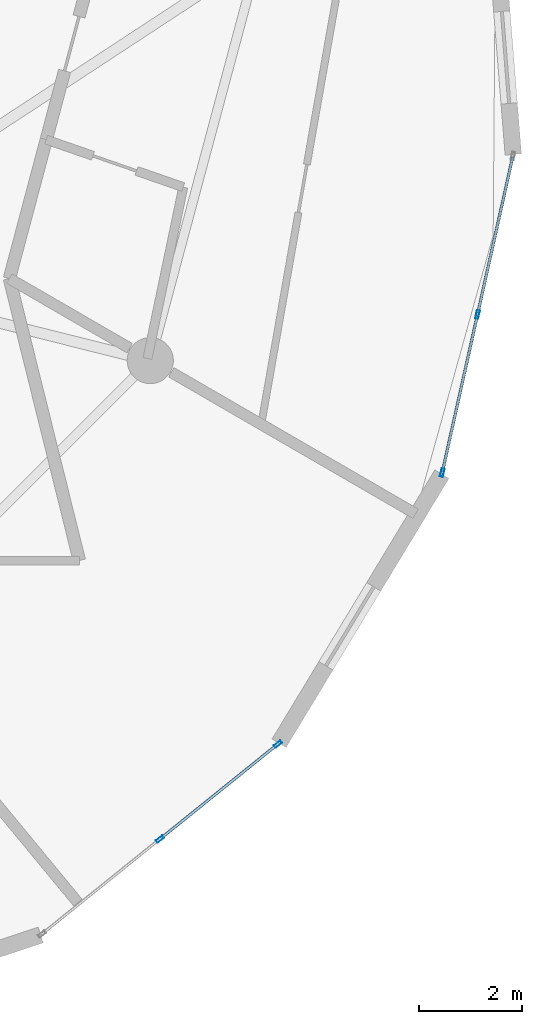
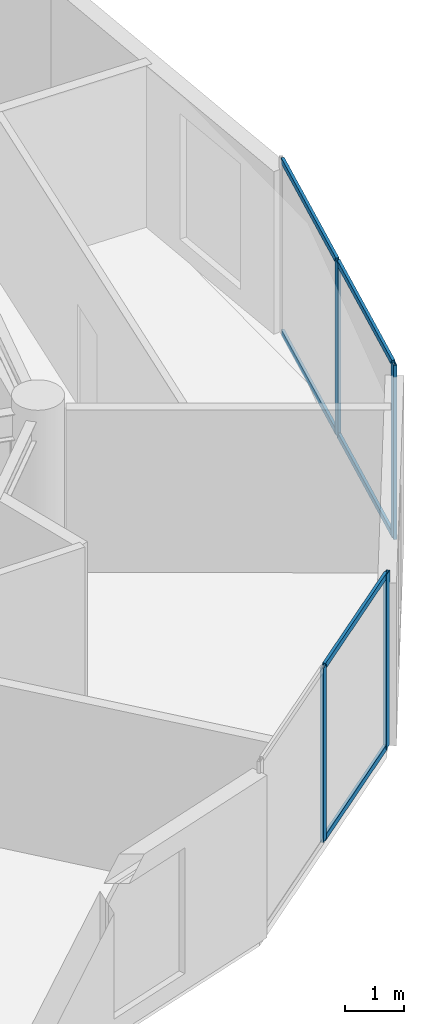
# One storey, part 10 of 20: 10 members, 2 elements without a shape of their own.
"""IFC4 building model written with IfcOpenShell, lengths in metres."""

from ifc_helpers import new_model, si_unit, direction, frame, origin, origin_2d, place, context, subcontext, project, spatial, hollow_rectangle, extrude, source, transform, mapped, material, layer, layer_set, material_profile, profile_set, type_object, element, aggregate, save


model = new_model("IFC4")

# Units and contexts
model_context = context("Model", 3, precision=1e-05, world=origin(), true_north=direction((0.0, 1.0)))
body_context = subcontext(model_context, "Body", "Model", "MODEL_VIEW")
ifc_project = project(units=[si_unit("LENGTHUNIT", "METRE"), si_unit("AREAUNIT", "SQUARE_METRE"), si_unit("VOLUMEUNIT", "CUBIC_METRE"), si_unit("PLANEANGLEUNIT", "RADIAN"), si_unit("MASSUNIT", "GRAM", prefix="KILO")], contexts=[model_context])

# Site, building, storey
site_placement = place(None, origin())
site = spatial("IfcSite", under=ifc_project, at=site_placement, CompositionType="ELEMENT")
building_placement = place(site_placement, origin())
building = spatial("IfcBuilding", under=site, at=building_placement, Name="Solvirekh Grand Hotel", CompositionType="ELEMENT")
storey_placement = place(building_placement, frame((0.0, 0.0, 194.800048828125)))
storey = spatial("IfcBuildingStorey", under=building, at=storey_placement, Name="L50", CompositionType="ELEMENT", Elevation=194.800048828125)

# Curtain wall, members
ifc_material = material(Name="Anodized Bronze Aluminium 6063-T6", Category="aluminium")
ifc_layer = layer(ifc_material, 0.159912109375)
ifc_layer_set = layer_set([ifc_layer], Name="Anodized Bronze Aluminium 6063-T6")
curtain_wall_type = type_object("IfcCurtainWallType", Name="CW_Sys4_HighZoneFlushBronzeCW", PredefinedType="NOTDEFINED", material=ifc_layer_set)
curtain_wall_1_placement = place(storey_placement, origin())
curtain_wall_1 = element("IfcCurtainWall", 1, at=curtain_wall_1_placement, inside=storey, type_object=curtain_wall_type, Name="L50 unitised bronze-glass curtain wall CW-L50-C03", PredefinedType="NOTDEFINED")
ifc_material_profile_1 = material_profile(ifc_material, hollow_rectangle(XDim=0.054931640625, YDim=0.1201171875, WallThickness=0.00390625, at=origin_2d()), Name="ALU RHS 120X55X4")
ifc_profile_set_1 = profile_set([ifc_material_profile_1], Name="Anodized Bronze Aluminium 6063-T6")
member_type_1 = type_object("IfcMemberType", Name="CWTransom_Sys4", PredefinedType="USERDEFINED", material=ifc_profile_set_1)
shared_shape_1 = source(origin(), body_context, "Body", "SweptSolid", [
    extrude(hollow_rectangle(XDim=0.054931640625, YDim=0.1201171875, WallThickness=0.00390625, at=origin_2d()), origin(), (0.0, 0.0, 1.0), 3.104736328125),
])
member_1_placement = place(storey_placement, frame((19.384033203125, -10.057373046875, 0.02734375), z_axis=(0.217904529729, 0.975970089666, 0.0), x_axis=(-0.975970089666, 0.217904529729, 0.0)))
member_1 = element("IfcMember", 2, at=member_1_placement, type_object=member_type_1, Name="U04 transom 1.1", ObjectType="TRANSOM", PredefinedType="USERDEFINED", context=body_context, shape_type="MappedRepresentation", body=[
    mapped(shared_shape_1, transform((0.0, 0.0, 0.0), x_axis=(1.0, 0.0, 0.0), y_axis=(0.0, 1.0, 0.0), z_axis=(0.0, 0.0, 1.0), scale=1.0)),
])
member_2_placement = place(storey_placement, frame((19.384033203125, -10.057373046875, 3.572509765625), z_axis=(0.217904529729, 0.975970089666, 0.0), x_axis=(-0.975970089666, 0.217904529729, 0.0)))
member_2 = element("IfcMember", 3, at=member_2_placement, type_object=member_type_1, Name="U04 transom 1.2", ObjectType="TRANSOM", PredefinedType="USERDEFINED", context=body_context, shape_type="MappedRepresentation", body=[
    mapped(shared_shape_1, transform((0.0, 0.0, 0.0), x_axis=(1.0, 0.0, 0.0), y_axis=(0.0, 1.0, 0.0), z_axis=(0.0, 0.0, 1.0), scale=1.0)),
])

curtain_wall_2_placement = place(storey_placement, origin())
curtain_wall_2 = element("IfcCurtainWall", 4, at=curtain_wall_2_placement, inside=storey, type_object=curtain_wall_type, Name="L50 unitised bronze-glass curtain wall CW-L50-C01", PredefinedType="NOTDEFINED")
ifc_material_profile_2 = material_profile(ifc_material, hollow_rectangle(XDim=0.06005859375, YDim=0.159912109375, WallThickness=0.0048828125, at=origin_2d()), Name="ALU RHS 160X60X5")
ifc_profile_set_2 = profile_set([ifc_material_profile_2], Name="Anodized Bronze Aluminium 6063-T6")
member_type_2 = type_object("IfcMemberType", Name="CWMullion_Sys4", PredefinedType="MULLION", material=ifc_profile_set_2)
shared_shape_2 = source(origin(), body_context, "Body", "SweptSolid", [
    extrude(hollow_rectangle(XDim=0.06005859375, YDim=0.159912109375, WallThickness=0.0048828125, at=origin_2d()), origin(), (0.0, 0.0, 1.0), 3.599853515625),
])
member_3_placement = place(storey_placement, frame((13.8720703125, -17.23193359375, 0.0), z_axis=(0.0, 0.0, 1.0), x_axis=(-0.627103659713, 0.778935812487, 0.0)))
member_3 = element("IfcMember", 5, at=member_3_placement, type_object=member_type_2, Name="U04 mullion 2", PredefinedType="MULLION", context=body_context, shape_type="MappedRepresentation", body=[
    mapped(shared_shape_2, transform((0.0, 0.0, 0.0), x_axis=(1.0, 0.0, 0.0), y_axis=(0.0, 1.0, 0.0), z_axis=(0.0, 0.0, 1.0), scale=1.0)),
])
member_4_placement = place(storey_placement, frame((16.172607421875, -15.3798828125, 0.0), z_axis=(0.0, 0.0, 1.0), x_axis=(-0.627103659713, 0.778935812487, 0.0)))
member_4 = element("IfcMember", 6, at=member_4_placement, type_object=member_type_2, Name="U04 mullion 3", PredefinedType="MULLION", context=body_context, shape_type="MappedRepresentation", body=[
    mapped(shared_shape_2, transform((0.0, 0.0, 0.0), x_axis=(1.0, 0.0, 0.0), y_axis=(0.0, 1.0, 0.0), z_axis=(0.0, 0.0, 1.0), scale=1.0)),
])

# Member
member_5_placement = place(storey_placement, frame((19.37744140625, -10.086669921875, 0.0), z_axis=(0.0, 0.0, 1.0), x_axis=(-0.975980397521, 0.217858356861, 0.0)))
member_5 = element("IfcMember", 7, at=member_5_placement, type_object=member_type_2, Name="U04 mullion 1", PredefinedType="MULLION", context=body_context, shape_type="MappedRepresentation", body=[
    mapped(shared_shape_2, transform((0.0, 0.0, 0.0), x_axis=(1.0, 0.0, 0.0), y_axis=(0.0, 1.0, 0.0), z_axis=(0.0, 0.0, 1.0), scale=1.0)),
])

member_6_placement = place(storey_placement, frame((20.06689453125, -6.998046875, 0.0), z_axis=(0.0, 0.0, 1.0), x_axis=(-0.975980397521, 0.217858356861, 0.0)))
member_6 = element("IfcMember", 8, at=member_6_placement, type_object=member_type_2, Name="U04 mullion 2", PredefinedType="MULLION", context=body_context, shape_type="MappedRepresentation", body=[
    mapped(shared_shape_2, transform((0.0, 0.0, 0.0), x_axis=(1.0, 0.0, 0.0), y_axis=(0.0, 1.0, 0.0), z_axis=(0.0, 0.0, 1.0), scale=1.0)),
])

shared_shape_3 = source(origin(), body_context, "Body", "SweptSolid", [
    extrude(hollow_rectangle(XDim=0.054931640625, YDim=0.1201171875, WallThickness=0.00390625, at=origin_2d()), origin(), (0.0, 0.0, 1.0), 2.8935546875),
])
member_7_placement = place(storey_placement, frame((13.895263671875, -17.213134765625, 0.02734375), z_axis=(0.77895539112, 0.627079339992, 0.0), x_axis=(-0.627079339992, 0.77895539112, 0.0)))
member_7 = element("IfcMember", 9, at=member_7_placement, type_object=member_type_1, Name="U04 transom 2.1", ObjectType="TRANSOM", PredefinedType="USERDEFINED", context=body_context, shape_type="MappedRepresentation", body=[
    mapped(shared_shape_3, transform((0.0, 0.0, 0.0), x_axis=(1.0, 0.0, 0.0), y_axis=(0.0, 1.0, 0.0), z_axis=(0.0, 0.0, 1.0), scale=1.0)),
])

member_8_placement = place(storey_placement, frame((13.895263671875, -17.213134765625, 3.572509765625), z_axis=(0.77895539112, 0.627079339992, 0.0), x_axis=(-0.627079339992, 0.77895539112, 0.0)))
member_8 = element("IfcMember", 10, at=member_8_placement, type_object=member_type_1, Name="U04 transom 2.2", ObjectType="TRANSOM", PredefinedType="USERDEFINED", context=body_context, shape_type="MappedRepresentation", body=[
    mapped(shared_shape_3, transform((0.0, 0.0, 0.0), x_axis=(1.0, 0.0, 0.0), y_axis=(0.0, 1.0, 0.0), z_axis=(0.0, 0.0, 1.0), scale=1.0)),
])

aggregate(curtain_wall_2, [member_3, member_4, member_7, member_8])

shared_shape_4 = source(origin(), body_context, "Body", "SweptSolid", [
    extrude(hollow_rectangle(XDim=0.054931640625, YDim=0.1201171875, WallThickness=0.00390625, at=origin_2d()), origin(), (0.0, 0.0, 1.0), 3.10498046875),
])
member_9_placement = place(storey_placement, frame((20.073486328125, -6.96875, 0.02734375), z_axis=(0.217887807275, 0.975973823133, 0.0), x_axis=(-0.975973823133, 0.217887807275, 0.0)))
member_9 = element("IfcMember", 11, at=member_9_placement, type_object=member_type_1, Name="U04 transom 2.1", ObjectType="TRANSOM", PredefinedType="USERDEFINED", context=body_context, shape_type="MappedRepresentation", body=[
    mapped(shared_shape_4, transform((0.0, 0.0, 0.0), x_axis=(1.0, 0.0, 0.0), y_axis=(0.0, 1.0, 0.0), z_axis=(0.0, 0.0, 1.0), scale=1.0)),
])

member_10_placement = place(storey_placement, frame((20.073486328125, -6.96875, 3.572509765625), z_axis=(0.217887807275, 0.975973823133, 0.0), x_axis=(-0.975973823133, 0.217887807275, 0.0)))
member_10 = element("IfcMember", 12, at=member_10_placement, type_object=member_type_1, Name="U04 transom 2.2", ObjectType="TRANSOM", PredefinedType="USERDEFINED", context=body_context, shape_type="MappedRepresentation", body=[
    mapped(shared_shape_4, transform((0.0, 0.0, 0.0), x_axis=(1.0, 0.0, 0.0), y_axis=(0.0, 1.0, 0.0), z_axis=(0.0, 0.0, 1.0), scale=1.0)),
])

aggregate(curtain_wall_1, [member_5, member_6, member_1, member_2, member_9, member_10])

save(model, "model.ifc")
